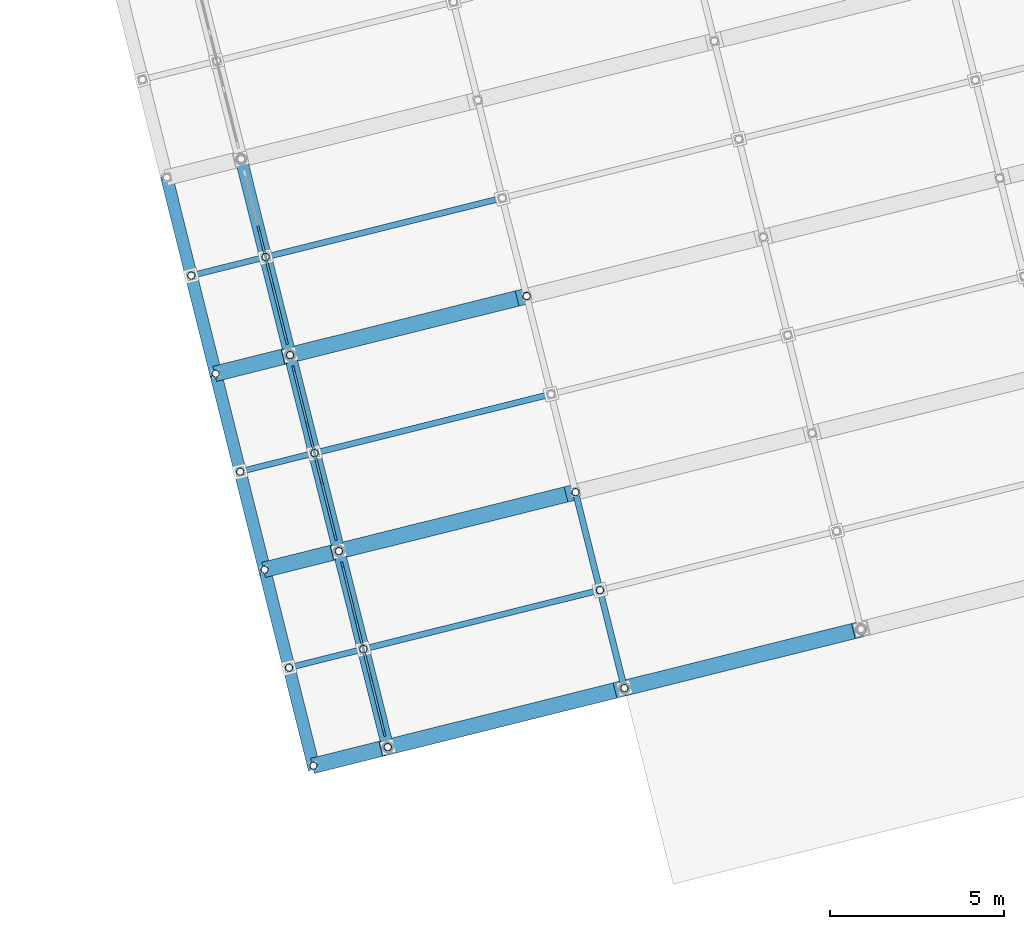
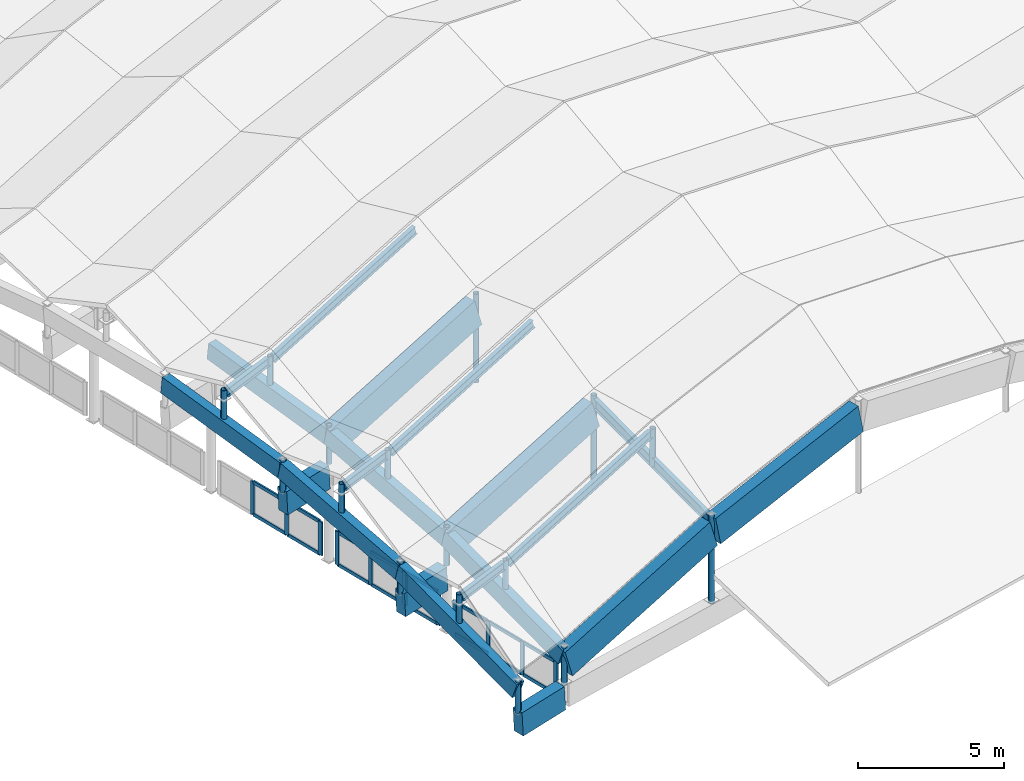
# One storey, part 14 of 65: 43 members, 20 beams, 3 elements without a shape of their own.
"""IFC4 building model written with IfcOpenShell, lengths in metres."""

import ifcopenshell
import ifcopenshell.guid

model = None  # the IFC model being written
_history = None  # IfcOwnerHistory: only IFC2X3 demands one
_inside = {}  # id of a spatial element -> (the spatial element, [elements in it])
_under = {}  # id of a project, library or spatial element -> (it, [spatial elements below it])
_declared = {}  # id of a project -> (the project, [libraries it declares])
_typed = {}  # id of a type object -> (the type object, [elements of that type])
_made_of = {}  # id of a material, layer set ... -> (it, [elements and type objects made of it])


def new_model(schema):
    """Start an empty IFC model of exactly this schema.

    Asked for "IFC4X3", IfcOpenShell would pick the latest addendum, in which some entities
    have other attributes; the version numbers below select the first issue.
    IFC2X3 requires an IfcOwnerHistory on every rooted entity: one is made here for all.
    """
    global model, _history
    if schema == "IFC4X3":
        model = ifcopenshell.file(schema_version=(4, 3, 0, 0))
    else:
        model = ifcopenshell.file(schema=schema)
    _inside.clear()
    _under.clear()
    _declared.clear()
    _typed.clear()
    _made_of.clear()
    _history = None
    if model.schema == "IFC2X3":
        org = make("IfcOrganization", Name="unknown")
        user = make(
            "IfcPersonAndOrganization",
            ThePerson=make("IfcPerson", FamilyName="unknown"),
            TheOrganization=org,
        )
        app = make(
            "IfcApplication",
            ApplicationDeveloper=org,
            Version="unknown",
            ApplicationFullName="unknown",
            ApplicationIdentifier="unknown",
        )
        _history = make(
            "IfcOwnerHistory",
            OwningUser=user,
            OwningApplication=app,
            ChangeAction="ADDED",
            CreationDate=0,
        )
    return model


def make(cls, **values):
    """One entity of the class cls with the attributes given. An attribute that is None is left unset."""
    return model.create_entity(
        cls, **{name: value for name, value in values.items() if value is not None}
    )


def rooted(cls, **values):
    """An entity with a GlobalId (a new one), such as an element, a storey or a relation."""
    return make(cls, GlobalId=ifcopenshell.guid.new(), OwnerHistory=_history, **values)


def si_unit(unit_type, name, prefix=None):
    """IfcSIUnit, for example si_unit("LENGTHUNIT", "METRE", prefix="MILLI")."""
    return make("IfcSIUnit", UnitType=unit_type, Prefix=prefix, Name=name)


def assignment(units):
    """IfcUnitAssignment: the units of a project."""
    return None if units is None else make("IfcUnitAssignment", Units=units)


def point(xyz):
    """IfcCartesianPoint."""
    return None if xyz is None else make("IfcCartesianPoint", Coordinates=xyz)


def direction(xyz):
    """IfcDirection."""
    return None if xyz is None else make("IfcDirection", DirectionRatios=xyz)


def frame(location, z_axis=None, x_axis=None):
    """IfcAxis2Placement3D, a coordinate frame: its origin and axes. An axis left out is left unset."""
    return make(
        "IfcAxis2Placement3D",
        Location=point(location),
        Axis=direction(z_axis),
        RefDirection=direction(x_axis),
    )


def frame_2d(location, x_axis=None):
    """IfcAxis2Placement2D, a coordinate frame in the plane: its origin and x axis."""
    return make(
        "IfcAxis2Placement2D", Location=point(location), RefDirection=direction(x_axis)
    )


def origin():
    """The frame at (0, 0, 0) with its axes left unset."""
    return frame((0.0, 0.0, 0.0))


def origin_2d():
    """The frame at (0, 0) in the plane with its x axis left unset."""
    return frame_2d((0.0, 0.0))


def place(relative_to, where):
    """IfcLocalPlacement: puts the frame where relative to a parent placement (None: the world)."""
    return make(
        "IfcLocalPlacement", PlacementRelTo=relative_to, RelativePlacement=where
    )


def context(
    kind, dimensions, precision=None, world=None, true_north=None, identifier=None
):
    """IfcGeometricRepresentationContext, for example the 3D "Model" context."""
    return make(
        "IfcGeometricRepresentationContext",
        ContextIdentifier=identifier,
        ContextType=kind,
        CoordinateSpaceDimension=dimensions,
        Precision=precision,
        WorldCoordinateSystem=world,
        TrueNorth=true_north,
    )


def subcontext(parent, identifier, kind, view, scale=None):
    """IfcGeometricRepresentationSubContext, for example "Body" below "Model"."""
    return make(
        "IfcGeometricRepresentationSubContext",
        ContextIdentifier=identifier,
        ContextType=kind,
        ParentContext=parent,
        TargetScale=scale,
        TargetView=view,
    )


def project(units=None, contexts=None):
    """IfcProject with its units and contexts."""
    return rooted(
        "IfcProject",
        Name="project",
        RepresentationContexts=contexts,
        UnitsInContext=assignment(units),
    )


def spatial(cls, under=None, at=None, **own):
    """A site, building, storey or space (cls), placed at a placement, below another one or the project."""
    s = rooted(cls, ObjectPlacement=at, **own)
    if under is not None:
        _under.setdefault(under.id(), (under, []))[1].append(s)
    return s


def profile(cls, at=None, kind="AREA", **sizes):
    """A parametric profile (cls). Its sizes go by their IFC names, for example OverallWidth=200.0."""
    return make(cls, ProfileType=kind, Position=at, **sizes)


def rectangle(**sizes):
    """IfcRectangleProfileDef."""
    return profile("IfcRectangleProfileDef", **sizes)


def hollow_circle(**sizes):
    """IfcCircleHollowProfileDef."""
    return profile("IfcCircleHollowProfileDef", **sizes)


def i_section(**sizes):
    """IfcIShapeProfileDef."""
    return profile("IfcIShapeProfileDef", **sizes)


def extrude(swept, where, along, depth):
    """IfcExtrudedAreaSolid: the profile swept, set in the frame where, extruded along a direction by depth."""
    return make(
        "IfcExtrudedAreaSolid",
        SweptArea=swept,
        Position=where,
        ExtrudedDirection=direction(along),
        Depth=depth,
    )


def shape(context_of_items, identifier, shape_type, items):
    """IfcShapeRepresentation: the items that make up one representation, for example the "Body"."""
    return make(
        "IfcShapeRepresentation",
        ContextOfItems=context_of_items,
        RepresentationIdentifier=identifier,
        RepresentationType=shape_type,
        Items=items,
    )


def material(Name=None, Category=None):
    """IfcMaterial."""
    return make("IfcMaterial", Name=Name, Category=Category)


def material_profile(
    of_material, cross_section, Name=None, Category=None, Priority=None
):
    """IfcMaterialProfile: a cross section and its material."""
    return make(
        "IfcMaterialProfile",
        Name=Name,
        Material=of_material,
        Profile=cross_section,
        Priority=Priority,
        Category=Category,
    )


def profile_set(profiles, Name=None, composite=None):
    """IfcMaterialProfileSet."""
    return make(
        "IfcMaterialProfileSet",
        Name=Name,
        MaterialProfiles=profiles,
        CompositeProfile=composite,
    )


def made_of(thing, what):
    """Note that an element or type object is made of a material, layer set ...; save() writes the relation."""
    if what is not None:
        _made_of.setdefault(what.id(), (what, []))[1].append(thing)
    return thing


def type_object(cls, material=None, **own):
    """A type object (cls), such as IfcWallType, which elements share."""
    return made_of(rooted(cls, **own), material)


def element(
    cls,
    number,
    at=None,
    inside=None,
    cuts=None,
    type_object=None,
    material=None,
    context=None,
    identifier="Body",
    shape_type=None,
    held_by="IfcProductDefinitionShape",
    body=None,
    shapes=None,
    **own,
):
    """One element of the class cls, such as IfcWall. Its Tag is "e" and its number.

    at: its placement. inside: the storey or other place that contains it. cuts: it is an
    opening in that element (IfcRelVoidsElement). A single representation is given by context,
    identifier, shape_type and body (its items); several are given by shapes. held_by: the class
    of the entity that holds the representations. save() writes the other relations.
    """
    e = rooted(cls, Tag="e%d" % number, ObjectPlacement=at, **own)
    if body is not None:
        shapes = [shape(context, identifier, shape_type, body)]
    if shapes is not None:
        e.Representation = make(held_by, Representations=shapes)
    if inside is not None:
        _inside.setdefault(inside.id(), (inside, []))[1].append(e)
    if cuts is not None:
        rooted(
            "IfcRelVoidsElement", RelatingBuildingElement=cuts, RelatedOpeningElement=e
        )
    if type_object is not None:
        _typed.setdefault(type_object.id(), (type_object, []))[1].append(e)
    return made_of(e, material)


def aggregate(whole, parts):
    """IfcRelAggregates: a whole, such as a stair, and the parts it consists of."""
    return rooted("IfcRelAggregates", RelatingObject=whole, RelatedObjects=parts)


def save(model, path):
    """Write the relations noted so far, then the file.

    IfcRelAggregates (storeys below a building ...), IfcRelContainedInSpatialStructure (elements
    in a storey), IfcRelDefinesByType, IfcRelAssociatesMaterial and IfcRelDeclares: one each for
    every whole, place, type object, material and project.
    """
    for whole, parts in _under.values():
        aggregate(whole, parts)
    for where, things in _inside.values():
        rooted(
            "IfcRelContainedInSpatialStructure",
            RelatedElements=things,
            RelatingStructure=where,
        )
    for kind, things in _typed.values():
        rooted("IfcRelDefinesByType", RelatedObjects=things, RelatingType=kind)
    for what, things in _made_of.values():
        rooted("IfcRelAssociatesMaterial", RelatedObjects=things, RelatingMaterial=what)
    for by, libraries in _declared.values():
        rooted("IfcRelDeclares", RelatingContext=by, RelatedDefinitions=libraries)
    model.write(path)


model = new_model("IFC4")

# Units and contexts
model_context = context("Model", 3, precision=1e-05, world=origin(), true_north=direction((0.0, 1.0)))
body_context = subcontext(model_context, "Body", "Model", "MODEL_VIEW")
ifc_project = project(units=[si_unit("LENGTHUNIT", "METRE"), si_unit("AREAUNIT", "SQUARE_METRE"), si_unit("VOLUMEUNIT", "CUBIC_METRE"), si_unit("PLANEANGLEUNIT", "RADIAN"), si_unit("MASSUNIT", "GRAM", prefix="KILO")], contexts=[model_context])

# Site, building, storey
site_placement = place(None, origin())
site = spatial("IfcSite", under=ifc_project, at=site_placement, CompositionType="ELEMENT")
building_placement = place(site_placement, origin())
building = spatial("IfcBuilding", under=site, at=building_placement, Name="Cinderway Yard Community Centre", CompositionType="ELEMENT")
storey_placement = place(building_placement, frame((0.0, 0.0, 24.300048828125)))
storey = spatial("IfcBuildingStorey", under=building, at=storey_placement, Name="RF", CompositionType="ELEMENT", Elevation=24.300048828125)

# Curtain wall, members
ifc_material_1 = material(Name="Aluminium 6063-T6", Category="aluminium")
curtain_wall_type = type_object("IfcCurtainWallType", Name="ENV-CW-TYPE-11", PredefinedType="USERDEFINED", material=ifc_material_1)
curtain_wall_1_placement = place(storey_placement, origin())
curtain_wall_1 = element("IfcCurtainWall", 1, at=curtain_wall_1_placement, inside=storey, type_object=curtain_wall_type, Name="Main Hall West Clerestory Curtain Wall ENV-CW-RF-HS-0037", ObjectType="GLAZED CURTAIN WALL", PredefinedType="USERDEFINED")
ifc_material_profile_1 = material_profile(ifc_material_1, rectangle(XDim=0.06494140625, YDim=0.179931640625, at=origin_2d()), Name="Aluminium 6063-T6")
ifc_profile_set_1 = profile_set([ifc_material_profile_1], Name="Aluminium 6063-T6")
member_type_1 = type_object("IfcMemberType", Name="ENV-CW-MULL-180", PredefinedType="MULLION", material=ifc_profile_set_1)
member_1_placement = place(storey_placement, frame((19.709716796875, 25.51513671875, -11.400146484375), z_axis=(0.0, 0.0, 1.0), x_axis=(-0.970305690025, -0.241881929678, 0.0)))
member_1 = element("IfcMember", 2, at=member_1_placement, type_object=member_type_1, Name="CW-11 mullion 1", PredefinedType="MULLION", context=body_context, shape_type="SweptSolid", body=[
    extrude(rectangle(XDim=0.06494140625, YDim=0.179931640625, at=origin_2d()), origin(), (0.0, 0.0, 1.0), 1.400146484375),
])
member_2_placement = place(storey_placement, frame((19.310546875, 27.115966796875, -11.400146484375), z_axis=(0.0, 0.0, 1.0), x_axis=(-0.970305690025, -0.241881929678, 0.0)))
member_2 = element("IfcMember", 3, at=member_2_placement, type_object=member_type_1, Name="CW-11 mullion 2", PredefinedType="MULLION", context=body_context, shape_type="SweptSolid", body=[
    extrude(rectangle(XDim=0.06494140625, YDim=0.179931640625, at=origin_2d()), origin(), (0.0, 0.0, 1.0), 1.400146484375),
])
member_3_placement = place(storey_placement, frame((18.904296875, 28.74609375, -11.400146484375), z_axis=(0.0, 0.0, 1.0), x_axis=(-0.970305690025, -0.241881929678, 0.0)))
member_3 = element("IfcMember", 4, at=member_3_placement, type_object=member_type_1, Name="CW-11 mullion 3", PredefinedType="MULLION", context=body_context, shape_type="SweptSolid", body=[
    extrude(rectangle(XDim=0.06494140625, YDim=0.179931640625, at=origin_2d()), origin(), (0.0, 0.0, 1.0), 1.400146484375),
])
member_4_placement = place(storey_placement, frame((18.50537109375, 30.346923828125, -11.400146484375), z_axis=(0.0, 0.0, 1.0), x_axis=(-0.970305690025, -0.241881929678, 0.0)))
member_4 = element("IfcMember", 5, at=member_4_placement, type_object=member_type_1, Name="CW-11 mullion 4", PredefinedType="MULLION", context=body_context, shape_type="SweptSolid", body=[
    extrude(rectangle(XDim=0.06494140625, YDim=0.179931640625, at=origin_2d()), origin(), (0.0, 0.0, 1.0), 1.400146484375),
])

curtain_wall_2_placement = place(storey_placement, origin())
curtain_wall_2 = element("IfcCurtainWall", 6, at=curtain_wall_2_placement, inside=storey, type_object=curtain_wall_type, Name="Main Hall West Clerestory Curtain Wall ENV-CW-RF-HS-0038", ObjectType="GLAZED CURTAIN WALL", PredefinedType="USERDEFINED")
member_5_placement = place(storey_placement, frame((18.306640625, 31.14306640625, -11.400146484375), z_axis=(0.0, 0.0, 1.0), x_axis=(-0.970294077356, -0.24192850896, 0.0)))
member_5 = element("IfcMember", 7, at=member_5_placement, type_object=member_type_1, Name="CW-11 mullion 1", PredefinedType="MULLION", context=body_context, shape_type="SweptSolid", body=[
    extrude(rectangle(XDim=0.06494140625, YDim=0.179931640625, at=origin_2d()), origin(), (0.0, 0.0, 1.0), 1.400146484375),
])
member_6_placement = place(storey_placement, frame((17.90771484375, 32.74365234375, -11.400146484375), z_axis=(0.0, 0.0, 1.0), x_axis=(-0.970294077356, -0.24192850896, 0.0)))
member_6 = element("IfcMember", 8, at=member_6_placement, type_object=member_type_1, Name="CW-11 mullion 2", PredefinedType="MULLION", context=body_context, shape_type="SweptSolid", body=[
    extrude(rectangle(XDim=0.06494140625, YDim=0.179931640625, at=origin_2d()), origin(), (0.0, 0.0, 1.0), 1.400146484375),
])
member_7_placement = place(storey_placement, frame((17.501220703125, 34.373291015625, -11.400146484375), z_axis=(0.0, 0.0, 1.0), x_axis=(-0.970294077356, -0.24192850896, 0.0)))
member_7 = element("IfcMember", 9, at=member_7_placement, type_object=member_type_1, Name="CW-11 mullion 3", PredefinedType="MULLION", context=body_context, shape_type="SweptSolid", body=[
    extrude(rectangle(XDim=0.06494140625, YDim=0.179931640625, at=origin_2d()), origin(), (0.0, 0.0, 1.0), 1.400146484375),
])
member_8_placement = place(storey_placement, frame((17.102294921875, 35.973876953125, -11.400146484375), z_axis=(0.0, 0.0, 1.0), x_axis=(-0.970294077356, -0.24192850896, 0.0)))
member_8 = element("IfcMember", 10, at=member_8_placement, type_object=member_type_1, Name="CW-11 mullion 4", PredefinedType="MULLION", context=body_context, shape_type="SweptSolid", body=[
    extrude(rectangle(XDim=0.06494140625, YDim=0.179931640625, at=origin_2d()), origin(), (0.0, 0.0, 1.0), 1.400146484375),
])

curtain_wall_3_placement = place(storey_placement, origin())
curtain_wall_3 = element("IfcCurtainWall", 11, at=curtain_wall_3_placement, inside=storey, type_object=curtain_wall_type, Name="Main Hall West Clerestory Curtain Wall ENV-CW-RF-HS-0039", ObjectType="GLAZED CURTAIN WALL", PredefinedType="USERDEFINED")
member_9_placement = place(storey_placement, frame((16.90380859375, 36.77001953125, -11.400146484375), z_axis=(0.0, 0.0, 1.0), x_axis=(-0.970305690025, -0.241881929678, 0.0)))
member_9 = element("IfcMember", 12, at=member_9_placement, type_object=member_type_1, Name="CW-11 mullion 1", PredefinedType="MULLION", context=body_context, shape_type="SweptSolid", body=[
    extrude(rectangle(XDim=0.06494140625, YDim=0.179931640625, at=origin_2d()), origin(), (0.0, 0.0, 1.0), 1.400146484375),
])
member_10_placement = place(storey_placement, frame((16.504638671875, 38.37109375, -11.400146484375), z_axis=(0.0, 0.0, 1.0), x_axis=(-0.970305690025, -0.241881929678, 0.0)))
member_10 = element("IfcMember", 13, at=member_10_placement, type_object=member_type_1, Name="CW-11 mullion 2", PredefinedType="MULLION", context=body_context, shape_type="SweptSolid", body=[
    extrude(rectangle(XDim=0.06494140625, YDim=0.179931640625, at=origin_2d()), origin(), (0.0, 0.0, 1.0), 1.400146484375),
])
member_11_placement = place(storey_placement, frame((16.098388671875, 40.0009765625, -11.400146484375), z_axis=(0.0, 0.0, 1.0), x_axis=(-0.970305690025, -0.241881929678, 0.0)))
member_11 = element("IfcMember", 14, at=member_11_placement, type_object=member_type_1, Name="CW-11 mullion 3", PredefinedType="MULLION", context=body_context, shape_type="SweptSolid", body=[
    extrude(rectangle(XDim=0.06494140625, YDim=0.179931640625, at=origin_2d()), origin(), (0.0, 0.0, 1.0), 1.400146484375),
])

# Member
ifc_material_profile_2 = material_profile(ifc_material_1, rectangle(XDim=0.06494140625, YDim=0.139892578125, at=origin_2d()), Name="Aluminium 6063-T6")
ifc_profile_set_2 = profile_set([ifc_material_profile_2], Name="Aluminium 6063-T6")
member_type_2 = type_object("IfcMemberType", Name="ENV-CW-TRAN-140", PredefinedType="USERDEFINED", material=ifc_profile_set_2)
member_12_placement = place(storey_placement, frame((19.702392578125, 25.544189453125, -11.3701171875), z_axis=(-0.241849083258, 0.97031387753, 0.0), x_axis=(-0.97031387753, -0.241849083258, 0.0)))
member_12 = element("IfcMember", 15, at=member_12_placement, type_object=member_type_2, Name="CW-11 transom 1.1", ObjectType="TRANSOM", PredefinedType="USERDEFINED", context=body_context, shape_type="SweptSolid", body=[
    extrude(rectangle(XDim=0.06494140625, YDim=0.139892578125, at=origin_2d()), origin(), (0.0, 0.0, 1.0), 1.58984375),
])

member_13_placement = place(storey_placement, frame((19.702392578125, 25.544189453125, -10.030029296875), z_axis=(-0.241849083258, 0.97031387753, 0.0), x_axis=(-0.97031387753, -0.241849083258, 0.0)))
member_13 = element("IfcMember", 16, at=member_13_placement, type_object=member_type_2, Name="CW-11 transom 1.2", ObjectType="TRANSOM", PredefinedType="USERDEFINED", context=body_context, shape_type="SweptSolid", body=[
    extrude(rectangle(XDim=0.06494140625, YDim=0.139892578125, at=origin_2d()), origin(), (0.0, 0.0, 1.0), 1.58984375),
])

member_14_placement = place(storey_placement, frame((19.303466796875, 27.14501953125, -11.3701171875), z_axis=(-0.241897251039, 0.970301870523, 0.0), x_axis=(-0.970301870523, -0.241897251039, 0.0)))
member_14 = element("IfcMember", 17, at=member_14_placement, type_object=member_type_2, Name="CW-11 transom 2.1", ObjectType="TRANSOM", PredefinedType="USERDEFINED", context=body_context, shape_type="SweptSolid", body=[
    extrude(rectangle(XDim=0.06494140625, YDim=0.139892578125, at=origin_2d()), origin(), (0.0, 0.0, 1.0), 1.619873046875),
])

member_15_placement = place(storey_placement, frame((19.303466796875, 27.14501953125, -10.030029296875), z_axis=(-0.241897251039, 0.970301870523, 0.0), x_axis=(-0.970301870523, -0.241897251039, 0.0)))
member_15 = element("IfcMember", 18, at=member_15_placement, type_object=member_type_2, Name="CW-11 transom 2.2", ObjectType="TRANSOM", PredefinedType="USERDEFINED", context=body_context, shape_type="SweptSolid", body=[
    extrude(rectangle(XDim=0.06494140625, YDim=0.139892578125, at=origin_2d()), origin(), (0.0, 0.0, 1.0), 1.619873046875),
])

member_16_placement = place(storey_placement, frame((18.89697265625, 28.775146484375, -11.3701171875), z_axis=(-0.241849083258, 0.97031387753, 0.0), x_axis=(-0.97031387753, -0.241849083258, 0.0)))
member_16 = element("IfcMember", 19, at=member_16_placement, type_object=member_type_2, Name="CW-11 transom 3.1", ObjectType="TRANSOM", PredefinedType="USERDEFINED", context=body_context, shape_type="SweptSolid", body=[
    extrude(rectangle(XDim=0.06494140625, YDim=0.139892578125, at=origin_2d()), origin(), (0.0, 0.0, 1.0), 1.58984375),
])

member_17_placement = place(storey_placement, frame((18.89697265625, 28.775146484375, -10.030029296875), z_axis=(-0.241849083258, 0.97031387753, 0.0), x_axis=(-0.97031387753, -0.241849083258, 0.0)))
member_17 = element("IfcMember", 20, at=member_17_placement, type_object=member_type_2, Name="CW-11 transom 3.2", ObjectType="TRANSOM", PredefinedType="USERDEFINED", context=body_context, shape_type="SweptSolid", body=[
    extrude(rectangle(XDim=0.06494140625, YDim=0.139892578125, at=origin_2d()), origin(), (0.0, 0.0, 1.0), 1.58984375),
])

aggregate(curtain_wall_1, [member_1, member_2, member_3, member_4, member_12, member_13, member_14, member_15, member_16, member_17])

member_18_placement = place(storey_placement, frame((18.299560546875, 31.172119140625, -11.3701171875), z_axis=(-0.241885123134, 0.970304893941, 0.0), x_axis=(-0.970304893941, -0.241885123134, 0.0)))
member_18 = element("IfcMember", 21, at=member_18_placement, type_object=member_type_2, Name="CW-11 transom 1.1", ObjectType="TRANSOM", PredefinedType="USERDEFINED", context=body_context, shape_type="SweptSolid", body=[
    extrude(rectangle(XDim=0.06494140625, YDim=0.139892578125, at=origin_2d()), origin(), (0.0, 0.0, 1.0), 1.589599609375),
])

member_19_placement = place(storey_placement, frame((18.299560546875, 31.172119140625, -10.030029296875), z_axis=(-0.241885123134, 0.970304893941, 0.0), x_axis=(-0.970304893941, -0.241885123134, 0.0)))
member_19 = element("IfcMember", 22, at=member_19_placement, type_object=member_type_2, Name="CW-11 transom 1.2", ObjectType="TRANSOM", PredefinedType="USERDEFINED", context=body_context, shape_type="SweptSolid", body=[
    extrude(rectangle(XDim=0.06494140625, YDim=0.139892578125, at=origin_2d()), origin(), (0.0, 0.0, 1.0), 1.589599609375),
])

member_20_placement = place(storey_placement, frame((17.900390625, 32.772705078125, -11.3701171875), z_axis=(-0.241932630828, 0.97029304962, 0.0), x_axis=(-0.97029304962, -0.241932630828, 0.0)))
member_20 = element("IfcMember", 23, at=member_20_placement, type_object=member_type_2, Name="CW-11 transom 2.1", ObjectType="TRANSOM", PredefinedType="USERDEFINED", context=body_context, shape_type="SweptSolid", body=[
    extrude(rectangle(XDim=0.06494140625, YDim=0.139892578125, at=origin_2d()), origin(), (0.0, 0.0, 1.0), 1.61962890625),
])

member_21_placement = place(storey_placement, frame((17.900390625, 32.772705078125, -10.030029296875), z_axis=(-0.241932630828, 0.97029304962, 0.0), x_axis=(-0.97029304962, -0.241932630828, 0.0)))
member_21 = element("IfcMember", 24, at=member_21_placement, type_object=member_type_2, Name="CW-11 transom 2.2", ObjectType="TRANSOM", PredefinedType="USERDEFINED", context=body_context, shape_type="SweptSolid", body=[
    extrude(rectangle(XDim=0.06494140625, YDim=0.139892578125, at=origin_2d()), origin(), (0.0, 0.0, 1.0), 1.61962890625),
])

member_22_placement = place(storey_placement, frame((17.494140625, 34.40234375, -11.3701171875), z_axis=(-0.241885123134, 0.970304893941, 0.0), x_axis=(-0.970304893941, -0.241885123134, 0.0)))
member_22 = element("IfcMember", 25, at=member_22_placement, type_object=member_type_2, Name="CW-11 transom 3.1", ObjectType="TRANSOM", PredefinedType="USERDEFINED", context=body_context, shape_type="SweptSolid", body=[
    extrude(rectangle(XDim=0.06494140625, YDim=0.139892578125, at=origin_2d()), origin(), (0.0, 0.0, 1.0), 1.589599609375),
])

member_23_placement = place(storey_placement, frame((17.494140625, 34.40234375, -10.030029296875), z_axis=(-0.241885123134, 0.970304893941, 0.0), x_axis=(-0.970304893941, -0.241885123134, 0.0)))
member_23 = element("IfcMember", 26, at=member_23_placement, type_object=member_type_2, Name="CW-11 transom 3.2", ObjectType="TRANSOM", PredefinedType="USERDEFINED", context=body_context, shape_type="SweptSolid", body=[
    extrude(rectangle(XDim=0.06494140625, YDim=0.139892578125, at=origin_2d()), origin(), (0.0, 0.0, 1.0), 1.589599609375),
])

aggregate(curtain_wall_2, [member_5, member_6, member_7, member_8, member_18, member_19, member_20, member_21, member_22, member_23])

member_24_placement = place(storey_placement, frame((16.896484375, 36.79931640625, -11.3701171875), z_axis=(-0.241885123134, 0.970304893941, 0.0), x_axis=(-0.970304893941, -0.241885123134, 0.0)))
member_24 = element("IfcMember", 27, at=member_24_placement, type_object=member_type_2, Name="CW-11 transom 1.1", ObjectType="TRANSOM", PredefinedType="USERDEFINED", context=body_context, shape_type="SweptSolid", body=[
    extrude(rectangle(XDim=0.06494140625, YDim=0.139892578125, at=origin_2d()), origin(), (0.0, 0.0, 1.0), 1.589599609375),
])

member_25_placement = place(storey_placement, frame((16.896484375, 36.79931640625, -10.030029296875), z_axis=(-0.241885123134, 0.970304893941, 0.0), x_axis=(-0.970304893941, -0.241885123134, 0.0)))
member_25 = element("IfcMember", 28, at=member_25_placement, type_object=member_type_2, Name="CW-11 transom 1.2", ObjectType="TRANSOM", PredefinedType="USERDEFINED", context=body_context, shape_type="SweptSolid", body=[
    extrude(rectangle(XDim=0.06494140625, YDim=0.139892578125, at=origin_2d()), origin(), (0.0, 0.0, 1.0), 1.589599609375),
])

member_26_placement = place(storey_placement, frame((16.497314453125, 38.400146484375, -11.3701171875), z_axis=(-0.241897251039, 0.970301870523, 0.0), x_axis=(-0.970301870523, -0.241897251039, 0.0)))
member_26 = element("IfcMember", 29, at=member_26_placement, type_object=member_type_2, Name="CW-11 transom 2.1", ObjectType="TRANSOM", PredefinedType="USERDEFINED", context=body_context, shape_type="SweptSolid", body=[
    extrude(rectangle(XDim=0.06494140625, YDim=0.139892578125, at=origin_2d()), origin(), (0.0, 0.0, 1.0), 1.619873046875),
])

member_27_placement = place(storey_placement, frame((16.497314453125, 38.400146484375, -10.030029296875), z_axis=(-0.241897251039, 0.970301870523, 0.0), x_axis=(-0.970301870523, -0.241897251039, 0.0)))
member_27 = element("IfcMember", 30, at=member_27_placement, type_object=member_type_2, Name="CW-11 transom 2.2", ObjectType="TRANSOM", PredefinedType="USERDEFINED", context=body_context, shape_type="SweptSolid", body=[
    extrude(rectangle(XDim=0.06494140625, YDim=0.139892578125, at=origin_2d()), origin(), (0.0, 0.0, 1.0), 1.619873046875),
])

aggregate(curtain_wall_3, [member_9, member_10, member_11, member_24, member_25, member_26, member_27])

# Beams
ifc_material_2 = material(Name="Concrete C35/45", Category="concrete")
ifc_material_profile_3 = material_profile(ifc_material_2, rectangle(XDim=0.35009765625, YDim=0.699951171875, at=origin_2d()), Name="Concrete C35/45")
ifc_profile_set_3 = profile_set([ifc_material_profile_3], Name="Concrete C35/45")
beam_type_1 = type_object("IfcBeamType", Name="STR-BM-RC350X700", PredefinedType="BEAM", material=ifc_profile_set_3)
beam_1_placement = place(storey_placement, frame((17.675048828125, 24.5849609375, -9.920166015625), z_axis=(-0.227932595784, 0.91411005179, 0.33533497431), x_axis=(-0.97029090175, -0.241941244896, 0.0)))
element("IfcBeam", 31, at=beam_1_placement, inside=storey, type_object=beam_type_1, Name="Folded-plate valley beam B1-UW22", PredefinedType="BEAM", context=body_context, shape_type="SweptSolid", body=[
    extrude(rectangle(XDim=0.35009765625, YDim=0.699951171875, at=origin_2d()), origin(), (0.0, 0.0, 1.0), 6.15576171875),
])
beam_2_placement = place(storey_placement, frame((19.80908203125, 25.116943359375, -9.570068359375), z_axis=(-0.227894314137, 0.914154797949, 0.335238999777), x_axis=(-0.970303219333, -0.241891840607, 0.0)))
element("IfcBeam", 32, at=beam_2_placement, inside=storey, type_object=beam_type_1, Name="Folded-plate valley beam B1-U00", PredefinedType="BEAM", context=body_context, shape_type="SweptSolid", body=[
    extrude(rectangle(XDim=0.35009765625, YDim=0.699951171875, at=origin_2d()), origin(), (0.0, 0.0, 1.0), 6.15673828125),
])
beam_3_placement = place(storey_placement, frame((16.27197265625, 30.2119140625, -7.85595703125), z_axis=(-0.235938375366, 0.94576375714, 0.223302482545), x_axis=(-0.970263692385, -0.242050340299, 0.0)))
element("IfcBeam", 33, at=beam_3_placement, inside=storey, type_object=beam_type_1, Name="Folded-plate valley beam B2-UW22", PredefinedType="BEAM", context=body_context, shape_type="SweptSolid", body=[
    extrude(rectangle(XDim=0.35009765625, YDim=0.699951171875, at=origin_2d()), origin(), (0.0, 0.0, 1.0), 5.950927734375),
])
beam_4_placement = place(storey_placement, frame((18.406005859375, 30.7451171875, -7.506103515625), z_axis=(-0.235826991832, 0.945770055288, 0.22339344763), x_axis=(-0.97029090175, -0.241941244896, 0.0)))
element("IfcBeam", 34, at=beam_4_placement, inside=storey, type_object=beam_type_1, Name="Folded-plate valley beam B2-U00", PredefinedType="BEAM", context=body_context, shape_type="SweptSolid", body=[
    extrude(rectangle(XDim=0.35009765625, YDim=0.699951171875, at=origin_2d()), origin(), (0.0, 0.0, 1.0), 5.94970703125),
])
for number, where, z_axis, x_axis, name in (
    (35, (14.867919921875, 35.840087890625, -6.527099609375), (-0.240347844493, 0.964235731162, 0.111724520126), (-0.970310635396, -0.241862090534, 0.0), "Folded-plate valley beam B3-UW22"),
    (36, (17.0029296875, 36.3720703125, -6.177001953125), (-0.240348967507, 0.964240236507, 0.111683213234), (-0.970310635396, -0.241862090534, 0.0), "Folded-plate valley beam B3-U00"),
):
    element("IfcBeam", number, at=place(storey_placement, frame(where, z_axis=z_axis, x_axis=x_axis)), inside=storey, type_object=beam_type_1, Name=name, PredefinedType="BEAM", context=body_context, shape_type="SweptSolid", body=[
        extrude(rectangle(XDim=0.35009765625, YDim=0.699951171875, at=origin_2d()), origin(), (0.0, 0.0, 1.0), 5.836669921875),
    ])
ifc_material_3 = material(Name="Concrete C40/50", Category="concrete")
ifc_material_profile_4 = material_profile(ifc_material_3, rectangle(XDim=0.449951171875, YDim=1.0, at=origin_2d()), Name="Concrete C40/50")
ifc_profile_set_4 = profile_set([ifc_material_profile_4], Name="Concrete C40/50")
beam_type_2 = type_object("IfcBeamType", Name="STR-BM-RC450X1000", PredefinedType="BEAM", material=ifc_profile_set_4)
beam_5_placement = place(storey_placement, frame((19.635009765625, 25.072998046875, -11.150146484375), z_axis=(-0.968665148732, -0.241201000537, -0.059244467866), x_axis=(0.241625414642, -0.970369599173, 0.0)))
element("IfcBeam", 37, at=beam_5_placement, inside=storey, type_object=beam_type_2, Name="Main Hall west folded-plate eave rib 01", PredefinedType="BEAM", context=body_context, shape_type="SweptSolid", body=[
    extrude(rectangle(XDim=0.449951171875, YDim=1.0, at=origin_2d()), origin(), (0.0, 0.0, 1.0), 2.0234375),
])
for number, where, z_axis, x_axis, name in (
    (38, (18.23193359375, 30.700927734375, -9.0859375), (-0.968545360356, -0.241653756452, -0.059357787406), (0.242080599731, -0.970256143105, 0.0), "Main Hall west folded-plate eave rib 02"),
    (39, (16.827880859375, 36.3291015625, -7.757080078125), (-0.9685522894, -0.24165548526, -0.059237565283), (0.242080599731, -0.970256143105, 0.0), "Main Hall west folded-plate eave rib 03"),
):
    element("IfcBeam", number, at=place(storey_placement, frame(where, z_axis=z_axis, x_axis=x_axis)), inside=storey, type_object=beam_type_2, Name=name, PredefinedType="BEAM", context=body_context, shape_type="SweptSolid", body=[
        extrude(rectangle(XDim=0.449951171875, YDim=1.0, at=origin_2d()), origin(), (0.0, 0.0, 1.0), 2.023681640625),
    ])
ifc_material_profile_5 = material_profile(ifc_material_3, rectangle(XDim=0.449951171875, YDim=1.199951171875, at=origin_2d()), Name="Concrete C40/50")
ifc_profile_set_5 = profile_set([ifc_material_profile_5], Name="Concrete C40/50")
beam_type_3 = type_object("IfcBeamType", Name="STR-BM-RC450X1200", PredefinedType="BEAM", material=ifc_profile_set_5)
beam_6_placement = place(storey_placement, frame((19.80908203125, 25.116943359375, -9.820068359375), z_axis=(0.928212297607, 0.231392629981, 0.291340662045), x_axis=(-0.241885787901, 0.970304728223, 0.0)))
element("IfcBeam", 40, at=beam_6_placement, inside=storey, type_object=beam_type_3, Name="Main Hall arch rib segment 01.1", PredefinedType="BEAM", context=body_context, shape_type="SweptSolid", body=[
    extrude(rectangle(XDim=0.449951171875, YDim=1.199951171875, at=origin_2d()), origin(), (0.0, 0.0, 1.0), 7.20849609375),
])
beam_7_placement = place(storey_placement, frame((26.702880859375, 26.8359375, -7.719970703125), z_axis=(0.950338138032, 0.23683627835, 0.201905920318), x_axis=(-0.241816508438, 0.970321996168, 0.0)))
element("IfcBeam", 41, at=beam_7_placement, inside=storey, type_object=beam_type_3, Name="Main Hall arch rib segment 01.2", PredefinedType="BEAM", context=body_context, shape_type="SweptSolid", body=[
    extrude(rectangle(XDim=0.449951171875, YDim=1.199951171875, at=origin_2d()), origin(), (0.0, 0.0, 1.0), 6.933349609375),
])
for number, where, z_axis, x_axis, name in (
    (42, (18.406005859375, 30.7451171875, -7.756103515625), (0.928193541251, 0.231421731035, 0.291377302454), (-0.241919030794, 0.970296440548, 0.0), "Main Hall arch rib segment 02.1"),
    (43, (17.0029296875, 36.3720703125, -6.427001953125), (0.928207391238, 0.231416738931, 0.291337144548), (-0.241910719241, 0.970298512787, 0.0), "Main Hall arch rib segment 03.1"),
):
    element("IfcBeam", number, at=place(storey_placement, frame(where, z_axis=z_axis, x_axis=x_axis)), inside=storey, type_object=beam_type_3, Name=name, PredefinedType="BEAM", context=body_context, shape_type="SweptSolid", body=[
        extrude(rectangle(XDim=0.449951171875, YDim=1.199951171875, at=origin_2d()), origin(), (0.0, 0.0, 1.0), 7.20751953125),
    ])
ifc_material_4 = material(Name="Steel S355", Category="steel")
ifc_material_profile_6 = material_profile(ifc_material_4, i_section(OverallWidth=0.172119140625, OverallDepth=0.35791015625, WebThickness=0.0078125, FlangeThickness=0.01318359375, FilletRadius=0.010986328125, at=origin_2d()), Name="Steel S355")
ifc_profile_set_6 = profile_set([ifc_material_profile_6], Name="Steel S355")
beam_type_4 = type_object("IfcBeamType", Name="STR-BM-W360X57", PredefinedType="JOIST", material=ifc_profile_set_6)
beam_8_placement = place(storey_placement, frame((17.074951171875, 27.424072265625, -7.54296875), z_axis=(0.955703788691, 0.238019780496, 0.173138246422), x_axis=(-0.241669587825, 0.970358598829, 0.0)))
element("IfcBeam", 44, at=beam_8_placement, inside=storey, type_object=beam_type_4, Name="Folded-plate ridge beam B1.1", PredefinedType="JOIST", context=body_context, shape_type="SweptSolid", body=[
    extrude(i_section(OverallWidth=0.172119140625, OverallDepth=0.35791015625, WebThickness=0.0078125, FlangeThickness=0.01318359375, FilletRadius=0.010986328125, at=origin_2d()), origin(), (0.0, 0.0, 1.0), 2.020751953125),
])
beam_9_placement = place(storey_placement, frame((19.2099609375, 27.9560546875, -7.193115234375), z_axis=(0.926954306759, 0.231180377413, 0.295484934102), x_axis=(-0.241985666717, 0.970279824125, 0.0)))
element("IfcBeam", 45, at=beam_9_placement, inside=storey, type_object=beam_type_4, Name="Folded-plate ridge beam B1.2", PredefinedType="JOIST", context=body_context, shape_type="SweptSolid", body=[
    extrude(i_section(OverallWidth=0.172119140625, OverallDepth=0.35791015625, WebThickness=0.0078125, FlangeThickness=0.01318359375, FilletRadius=0.010986328125, at=origin_2d()), origin(), (0.0, 0.0, 1.0), 7.107177734375),
])
beam_10_placement = place(storey_placement, frame((15.672119140625, 33.052001953125, -5.84716796875), z_axis=(0.955673316951, 0.238042285294, 0.173275450311), x_axis=(-0.241698359167, 0.97035143282, 0.0)))
element("IfcBeam", 46, at=beam_10_placement, inside=storey, type_object=beam_type_4, Name="Folded-plate ridge beam B2.1", PredefinedType="JOIST", context=body_context, shape_type="SweptSolid", body=[
    extrude(i_section(OverallWidth=0.172119140625, OverallDepth=0.35791015625, WebThickness=0.0078125, FlangeThickness=0.01318359375, FilletRadius=0.010986328125, at=origin_2d()), origin(), (0.0, 0.0, 1.0), 2.0205078125),
])
beam_11_placement = place(storey_placement, frame((17.806884765625, 33.583984375, -5.4970703125), z_axis=(0.926983743979, 0.231050311729, 0.295494317795), x_axis=(-0.241850256561, 0.970313585086, 0.0)))
element("IfcBeam", 47, at=beam_11_placement, inside=storey, type_object=beam_type_4, Name="Folded-plate ridge beam B2.2", PredefinedType="JOIST", context=body_context, shape_type="SweptSolid", body=[
    extrude(i_section(OverallWidth=0.172119140625, OverallDepth=0.35791015625, WebThickness=0.0078125, FlangeThickness=0.01318359375, FilletRadius=0.010986328125, at=origin_2d()), origin(), (0.0, 0.0, 1.0), 7.107177734375),
])
beam_12_placement = place(storey_placement, frame((14.26904296875, 38.678955078125, -4.85595703125), z_axis=(0.955583266384, 0.238503144246, 0.173138300762), x_axis=(-0.242160365848, 0.970236237837, 0.0)))
element("IfcBeam", 48, at=beam_12_placement, inside=storey, type_object=beam_type_4, Name="Folded-plate ridge beam B3.1", PredefinedType="JOIST", context=body_context, shape_type="SweptSolid", body=[
    extrude(i_section(OverallWidth=0.172119140625, OverallDepth=0.35791015625, WebThickness=0.0078125, FlangeThickness=0.01318359375, FilletRadius=0.010986328125, at=origin_2d()), origin(), (0.0, 0.0, 1.0), 2.020751953125),
])
beam_13_placement = place(storey_placement, frame((16.403076171875, 39.2119140625, -4.506103515625), z_axis=(0.92699824192, 0.231028241261, 0.295466091485), x_axis=(-0.241824944613, 0.970319893727, 0.0)))
element("IfcBeam", 49, at=beam_13_placement, inside=storey, type_object=beam_type_4, Name="Folded-plate ridge beam B3.2", PredefinedType="JOIST", context=body_context, shape_type="SweptSolid", body=[
    extrude(i_section(OverallWidth=0.172119140625, OverallDepth=0.35791015625, WebThickness=0.0078125, FlangeThickness=0.01318359375, FilletRadius=0.010986328125, at=origin_2d()), origin(), (0.0, 0.0, 1.0), 7.107666015625),
])
ifc_material_profile_7 = material_profile(ifc_material_4, i_section(OverallWidth=0.178955078125, OverallDepth=0.409912109375, WebThickness=0.0087890625, FlangeThickness=0.013427734375, FilletRadius=0.011962890625, at=origin_2d()), Name="Steel S355")
ifc_profile_set_7 = profile_set([ifc_material_profile_7], Name="Steel S355")
beam_type_5 = type_object("IfcBeamType", Name="STR-BM-W410X67", PredefinedType="JOIST", material=ifc_profile_set_7)
beam_14_placement = place(storey_placement, frame((26.60205078125, 26.81005859375, -7.324951171875), z_axis=(-0.228052952331, 0.91411522468, 0.335239029561), x_axis=(-0.970261226344, -0.242060225261, 0.0)))
element("IfcBeam", 50, at=beam_14_placement, inside=storey, type_object=beam_type_5, Name="Folded-plate valley beam B1-U07", PredefinedType="JOIST", context=body_context, shape_type="SweptSolid", body=[
    extrude(i_section(OverallWidth=0.178955078125, OverallDepth=0.409912109375, WebThickness=0.0087890625, FlangeThickness=0.013427734375, FilletRadius=0.011962890625, at=origin_2d()), origin(), (0.0, 0.0, 1.0), 6.15673828125),
])

# Members
ifc_material_profile_8 = material_profile(ifc_material_4, hollow_circle(Radius=0.109619140625, WallThickness=0.010009765625, at=origin_2d()), Name="Steel S355")
ifc_profile_set_8 = profile_set([ifc_material_profile_8], Name="Steel S355")
member_type_3 = type_object("IfcMemberType", Name="STR-MEM-STRUT-CHS219", PredefinedType="STRUT", material=ifc_profile_set_8)
member_28_placement = place(storey_placement, frame((17.675048828125, 24.5849609375, -10.8701171875), z_axis=(0.0, 0.0, 1.0), x_axis=(1.0, 0.0, 0.0)))
element("IfcMember", 51, at=member_28_placement, inside=storey, type_object=member_type_3, Name="Arch rib web post 01-W22", PredefinedType="STRUT", context=body_context, shape_type="SweptSolid", body=[
    extrude(hollow_circle(Radius=0.109619140625, WallThickness=0.010009765625, at=origin_2d()), origin(), (0.0, 0.0, 1.0), 1.380126953125),
])
member_29_placement = place(storey_placement, frame((19.80908203125, 25.116943359375, -10.75), z_axis=(0.0, 0.0, 1.0), x_axis=(1.0, 0.0, 0.0)))
element("IfcMember", 52, at=member_29_placement, inside=storey, type_object=member_type_3, Name="Arch rib web post 01-00", PredefinedType="STRUT", context=body_context, shape_type="SweptSolid", body=[
    extrude(hollow_circle(Radius=0.109619140625, WallThickness=0.010009765625, at=origin_2d()), origin(), (0.0, 0.0, 1.0), 1.60986328125),
])
member_30_placement = place(storey_placement, frame((26.60205078125, 26.81005859375, -10.75), z_axis=(0.0, 0.0, 1.0), x_axis=(1.0, 0.0, 0.0)))
element("IfcMember", 53, at=member_30_placement, inside=storey, type_object=member_type_3, Name="Arch rib web post 01-07", PredefinedType="STRUT", context=body_context, shape_type="SweptSolid", body=[
    extrude(hollow_circle(Radius=0.109619140625, WallThickness=0.010009765625, at=origin_2d()), origin(), (0.0, 0.0, 1.0), 3.7099609375),
])
member_31_placement = place(storey_placement, frame((16.27197265625, 30.2119140625, -8.80615234375), z_axis=(0.0, 0.0, 1.0), x_axis=(1.0, 0.0, 0.0)))
element("IfcMember", 54, at=member_31_placement, inside=storey, type_object=member_type_3, Name="Arch rib web post 02-W22", PredefinedType="STRUT", context=body_context, shape_type="SweptSolid", body=[
    extrude(hollow_circle(Radius=0.109619140625, WallThickness=0.010009765625, at=origin_2d()), origin(), (0.0, 0.0, 1.0), 1.380126953125),
])
member_32_placement = place(storey_placement, frame((18.406005859375, 30.7451171875, -8.68603515625), z_axis=(0.0, 0.0, 1.0), x_axis=(1.0, 0.0, 0.0)))
element("IfcMember", 55, at=member_32_placement, inside=storey, type_object=member_type_3, Name="Arch rib web post 02-00", PredefinedType="STRUT", context=body_context, shape_type="SweptSolid", body=[
    extrude(hollow_circle(Radius=0.109619140625, WallThickness=0.010009765625, at=origin_2d()), origin(), (0.0, 0.0, 1.0), 1.610107421875),
])
member_33_placement = place(storey_placement, frame((25.197998046875, 32.43798828125, -8.68603515625), z_axis=(0.0, 0.0, 1.0), x_axis=(1.0, 0.0, 0.0)))
element("IfcMember", 56, at=member_33_placement, inside=storey, type_object=member_type_3, Name="Arch rib web post 02-07", PredefinedType="STRUT", context=body_context, shape_type="SweptSolid", body=[
    extrude(hollow_circle(Radius=0.109619140625, WallThickness=0.010009765625, at=origin_2d()), origin(), (0.0, 0.0, 1.0), 3.7099609375),
])
member_34_placement = place(storey_placement, frame((14.867919921875, 35.840087890625, -7.47705078125), z_axis=(0.0, 0.0, 1.0), x_axis=(1.0, 0.0, 0.0)))
element("IfcMember", 57, at=member_34_placement, inside=storey, type_object=member_type_3, Name="Arch rib web post 03-W22", PredefinedType="STRUT", context=body_context, shape_type="SweptSolid", body=[
    extrude(hollow_circle(Radius=0.109619140625, WallThickness=0.010009765625, at=origin_2d()), origin(), (0.0, 0.0, 1.0), 1.3798828125),
])
member_35_placement = place(storey_placement, frame((17.0029296875, 36.3720703125, -7.35693359375), z_axis=(0.0, 0.0, 1.0), x_axis=(1.0, 0.0, 0.0)))
element("IfcMember", 58, at=member_35_placement, inside=storey, type_object=member_type_3, Name="Arch rib web post 03-00", PredefinedType="STRUT", context=body_context, shape_type="SweptSolid", body=[
    extrude(hollow_circle(Radius=0.109619140625, WallThickness=0.010009765625, at=origin_2d()), origin(), (0.0, 0.0, 1.0), 1.60986328125),
])
member_36_placement = place(storey_placement, frame((23.794921875, 38.06591796875, -7.35693359375), z_axis=(0.0, 0.0, 1.0), x_axis=(1.0, 0.0, 0.0)))
element("IfcMember", 59, at=member_36_placement, inside=storey, type_object=member_type_3, Name="Arch rib web post 03-07", PredefinedType="STRUT", context=body_context, shape_type="SweptSolid", body=[
    extrude(hollow_circle(Radius=0.109619140625, WallThickness=0.010009765625, at=origin_2d()), origin(), (0.0, 0.0, 1.0), 3.7099609375),
])
for number, where, z_axis, x_axis, name in (
    (60, (16.972900390625, 27.39794921875, -8.93798828125), (0.0, 0.0, 1.0), (1.0, 0.0, 0.0), "Folded-plate ridge kingpost B1-UW22"),
    (61, (19.10791015625, 27.930908203125, -8.588134765625), (0.0, 0.0, 1.0), (1.0, 0.0, 0.0), "Folded-plate ridge kingpost B1-U00"),
    (62, (25.89990234375, 29.6240234375, -6.488037109375), (0.0, 0.0, 1.0), (1.0, 0.0, 0.0), "Folded-plate ridge kingpost B1-U07"),
    (63, (15.570068359375, 33.02587890625, -7.241943359375), (0.0, 0.0, 1.0), (1.0, 0.0, 0.0), "Folded-plate ridge kingpost B2-UW22"),
    (64, (17.705078125, 33.55810546875, -6.89208984375), (0.0, 0.0, 1.0), (1.0, 0.0, 0.0), "Folded-plate ridge kingpost B2-U00"),
    (65, (14.1669921875, 38.654052734375, -6.2509765625), (0.0, 0.0, 1.0), (1.0, 0.0, 0.0), "Folded-plate ridge kingpost B3-UW22"),
    (66, (16.302001953125, 39.18603515625, -5.901123046875), (0.0, 0.0, 1.0), (1.0, 0.0, 0.0), "Folded-plate ridge kingpost B3-U00"),
):
    element("IfcMember", number, at=place(storey_placement, frame(where, z_axis=z_axis, x_axis=x_axis)), inside=storey, type_object=member_type_3, Name=name, PredefinedType="STRUT", context=body_context, shape_type="SweptSolid", body=[
        extrude(hollow_circle(Radius=0.109619140625, WallThickness=0.010009765625, at=origin_2d()), origin(), (0.0, 0.0, 1.0), 1.583984375),
    ])

save(model, "model.ifc")
